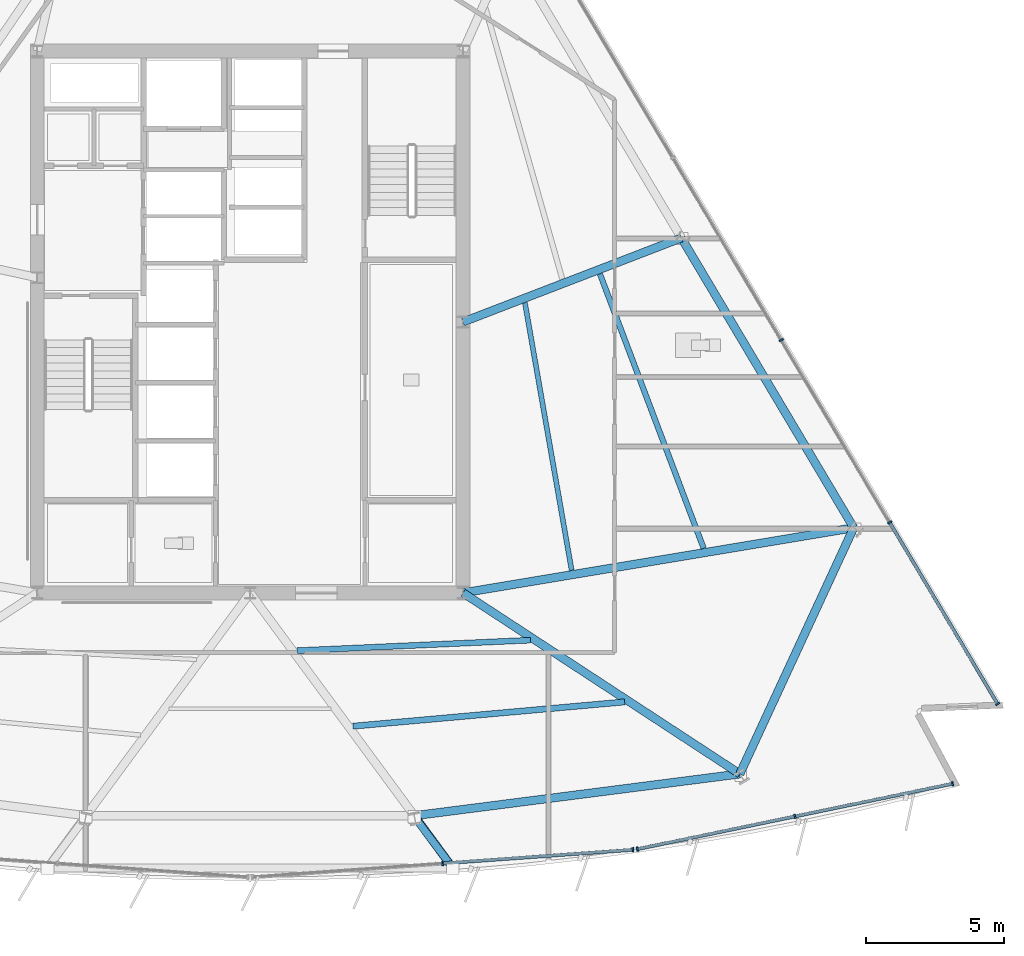
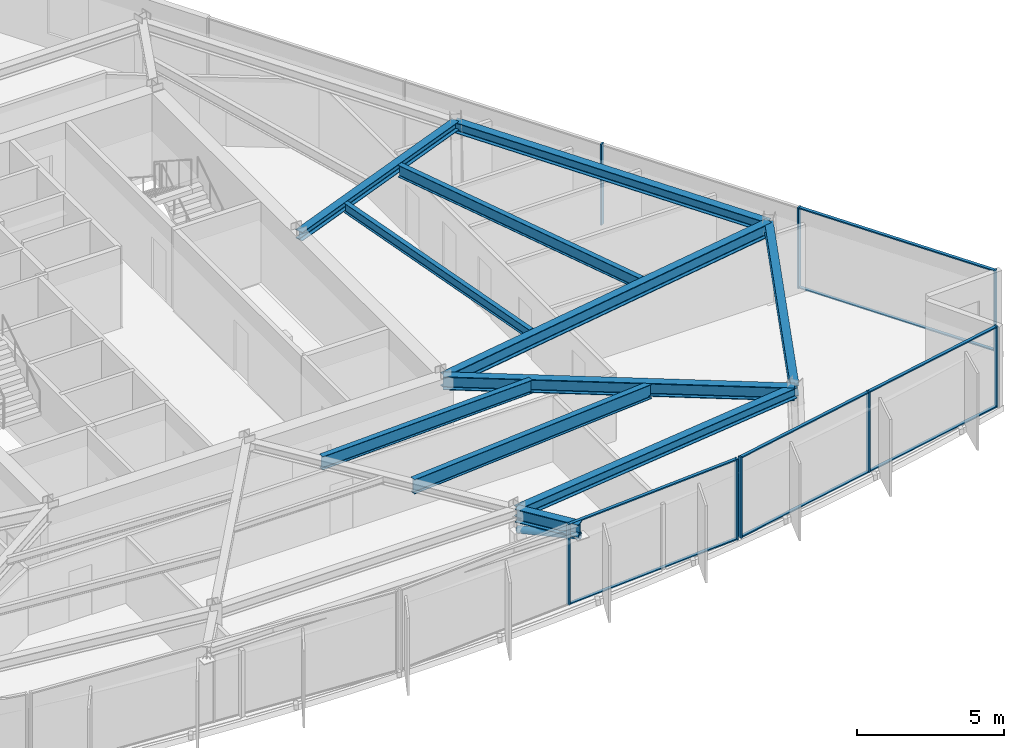
# One storey, part 5 of 16: 17 members, 11 beams, 3 elements without a shape of their own.
"""IFC4 building model written with IfcOpenShell, lengths in metres."""

from ifc_helpers import new_model, si_unit, direction, frame, origin, origin_2d, place, context, subcontext, project, spatial, rectangle, hollow_circle, i_section, extrude, material, material_profile, profile_set, type_object, element, aggregate, save


model = new_model("IFC4")

# Units and contexts
model_context = context("Model", 3, precision=1e-05, world=origin(), true_north=direction((0.0, 1.0)))
body_context = subcontext(model_context, "Body", "Model", "MODEL_VIEW")
ifc_project = project(units=[si_unit("LENGTHUNIT", "METRE"), si_unit("AREAUNIT", "SQUARE_METRE"), si_unit("VOLUMEUNIT", "CUBIC_METRE"), si_unit("PLANEANGLEUNIT", "RADIAN"), si_unit("MASSUNIT", "GRAM", prefix="KILO")], contexts=[model_context])

# Site, building, storey
site_placement = place(None, origin())
site = spatial("IfcSite", under=ifc_project, at=site_placement, CompositionType="ELEMENT")
building_placement = place(site_placement, origin())
building = spatial("IfcBuilding", under=site, at=building_placement, Name="Savorim Split Tower", CompositionType="ELEMENT")
storey_placement = place(building_placement, frame((0.0, 0.0, 156.60009765625)))
storey = spatial("IfcBuildingStorey", under=building, at=storey_placement, Name="L41", CompositionType="ELEMENT", Elevation=156.60009765625)

# Beams
ifc_material_1 = material(Name="Steel S355", Category="steel")
ifc_material_profile_1 = material_profile(ifc_material_1, i_section(OverallWidth=0.179931640625, OverallDepth=0.39990234375, WebThickness=0.008544921875, FlangeThickness=0.013427734375, FilletRadius=0.02099609375, at=origin_2d()), Name="IPE 400")
ifc_profile_set_1 = profile_set([ifc_material_profile_1], Name="Steel S355")
beam_type_1 = type_object("IfcBeamType", Name="BM-JST-IPE400", PredefinedType="JOIST", material=ifc_profile_set_1)
beam_1_placement = place(storey_placement, frame((11.62890625, -8.58251953125, 3.14990234375), z_axis=(-0.172076447151, 0.985083598653, 0.0), x_axis=(-0.985083598653, -0.172076447151, 0.0)))
element("IfcBeam", 1, at=beam_1_placement, inside=storey, type_object=beam_type_1, Name="L41 Secondary Floor Joist JS-08", PredefinedType="JOIST", context=body_context, shape_type="SweptSolid", body=[
    extrude(i_section(OverallWidth=0.179931640625, OverallDepth=0.39990234375, WebThickness=0.008544921875, FlangeThickness=0.013427734375, FilletRadius=0.02099609375, at=origin_2d()), origin(), (0.0, 0.0, 1.0), 9.822265625),
])
ifc_material_profile_2 = material_profile(ifc_material_1, i_section(OverallWidth=0.199951171875, OverallDepth=0.5, WebThickness=0.01025390625, FlangeThickness=0.01611328125, FilletRadius=0.02099609375, at=origin_2d()), Name="IPE 500")
ifc_profile_set_2 = profile_set([ifc_material_profile_2], Name="Steel S355")
beam_type_2 = type_object("IfcBeamType", Name="BM-JST-IPE500", PredefinedType="JOIST", material=ifc_profile_set_2)
beam_2_placement = place(storey_placement, frame((16.40380859375, -7.788818359375, 3.099853515625), z_axis=(-0.353598818967, 0.935397175121, 0.0), x_axis=(-0.935397175121, -0.353598818967, 0.0)))
element("IfcBeam", 2, at=beam_2_placement, inside=storey, type_object=beam_type_2, Name="L41 Secondary Floor Joist JS-06", PredefinedType="JOIST", context=body_context, shape_type="SweptSolid", body=[
    extrude(i_section(OverallWidth=0.199951171875, OverallDepth=0.5, WebThickness=0.01025390625, FlangeThickness=0.01611328125, FilletRadius=0.02099609375, at=origin_2d()), origin(), (0.0, 0.0, 1.0), 10.608642578125),
])
ifc_material_profile_3 = material_profile(ifc_material_1, i_section(OverallWidth=0.2099609375, OverallDepth=0.550048828125, WebThickness=0.010986328125, FlangeThickness=0.01708984375, FilletRadius=0.02392578125, at=origin_2d()), Name="IPE 550")
ifc_profile_set_3 = profile_set([ifc_material_profile_3], Name="Steel S355")
beam_type_3 = type_object("IfcBeamType", Name="BM-JST-IPE550", PredefinedType="JOIST", material=ifc_profile_set_3)
beam_3_placement = place(storey_placement, frame((1.703125, -11.488037109375, 3.074951171875), z_axis=(0.998995060776, 0.044820403219, 0.0), x_axis=(-0.044820403219, 0.998995060776, 0.0)))
element("IfcBeam", 3, at=beam_3_placement, inside=storey, type_object=beam_type_3, Name="L41 Secondary Floor Joist JS-05", PredefinedType="JOIST", context=body_context, shape_type="SweptSolid", body=[
    extrude(i_section(OverallWidth=0.2099609375, OverallDepth=0.550048828125, WebThickness=0.010986328125, FlangeThickness=0.01708984375, FilletRadius=0.02392578125, at=origin_2d()), origin(), (0.0, 0.0, 1.0), 8.448486328125),
])
ifc_material_profile_4 = material_profile(ifc_material_1, i_section(OverallWidth=0.219970703125, OverallDepth=0.60009765625, WebThickness=0.011962890625, FlangeThickness=0.01904296875, FilletRadius=0.02392578125, at=origin_2d()), Name="IPE 600")
ifc_profile_set_4 = profile_set([ifc_material_profile_4], Name="Steel S355")
beam_type_4 = type_object("IfcBeamType", Name="BM-JST-IPE600", PredefinedType="JOIST", material=ifc_profile_set_4)
beam_4_placement = place(storey_placement, frame((3.720947265625, -14.220703125, 3.0498046875), z_axis=(0.996027991499, 0.089040665708, 0.0), x_axis=(-0.089040665708, 0.996027991499, 0.0)))
element("IfcBeam", 4, at=beam_4_placement, inside=storey, type_object=beam_type_4, Name="L41 Secondary Floor Joist JS-04", PredefinedType="JOIST", context=body_context, shape_type="SweptSolid", body=[
    extrude(i_section(OverallWidth=0.219970703125, OverallDepth=0.60009765625, WebThickness=0.011962890625, FlangeThickness=0.01904296875, FilletRadius=0.02392578125, at=origin_2d()), origin(), (0.0, 0.0, 1.0), 9.865478515625),
])
ifc_material_profile_5 = material_profile(ifc_material_1, i_section(OverallWidth=0.300048828125, OverallDepth=0.360107421875, WebThickness=0.012451171875, FlangeThickness=0.0224609375, FilletRadius=0.027099609375, at=origin_2d()), Name="HEB 360")
ifc_profile_set_5 = profile_set([ifc_material_profile_5], Name="Steel S355")
beam_type_5 = type_object("IfcBeamType", Name="BM-PRI-HEB360", PredefinedType="BEAM", material=ifc_profile_set_5)
beam_5_placement = place(storey_placement, frame((15.596923828125, 3.43896484375, 3.169921875), z_axis=(-0.933275687169, -0.359160815986, 0.0), x_axis=(0.359160815986, -0.933275687169, 0.0)))
element("IfcBeam", 5, at=beam_5_placement, inside=storey, type_object=beam_type_5, Name="L41 Primary Floor Girder RG-06", PredefinedType="BEAM", context=body_context, shape_type="SweptSolid", body=[
    extrude(i_section(OverallWidth=0.300048828125, OverallDepth=0.360107421875, WebThickness=0.012451171875, FlangeThickness=0.0224609375, FilletRadius=0.027099609375, at=origin_2d()), origin(), (0.0, 0.0, 1.0), 8.461669921875),
])
ifc_material_profile_6 = material_profile(ifc_material_1, i_section(OverallWidth=0.300048828125, OverallDepth=0.550048828125, WebThickness=0.014892578125, FlangeThickness=0.029052734375, FilletRadius=0.027099609375, at=origin_2d()), Name="HEB 550")
ifc_profile_set_6 = profile_set([ifc_material_profile_6], Name="Steel S355")
beam_type_6 = type_object("IfcBeamType", Name="BM-PRI-HEB550", PredefinedType="BEAM", material=ifc_profile_set_6)
beam_6_placement = place(storey_placement, frame((17.710693359375, -15.94677734375, 3.074951171875), z_axis=(-0.836916394391, 0.547330749, 0.0), x_axis=(-0.547330749, -0.836916394391, 0.0)))
element("IfcBeam", 6, at=beam_6_placement, inside=storey, type_object=beam_type_6, Name="L41 Primary Floor Girder RG-04", PredefinedType="BEAM", context=body_context, shape_type="SweptSolid", body=[
    extrude(i_section(OverallWidth=0.300048828125, OverallDepth=0.550048828125, WebThickness=0.014892578125, FlangeThickness=0.029052734375, FilletRadius=0.027099609375, at=origin_2d()), origin(), (0.0, 0.0, 1.0), 11.96142578125),
])
beam_7_placement = place(storey_placement, frame((21.82958984375, -7.042724609375, 3.074951171875), z_axis=(-0.986368577803, -0.164550991252, 0.0), x_axis=(0.164550991252, -0.986368577803, 0.0)))
element("IfcBeam", 7, at=beam_7_placement, inside=storey, type_object=beam_type_6, Name="L41 Primary Floor Girder RG-05", PredefinedType="BEAM", context=body_context, shape_type="SweptSolid", body=[
    extrude(i_section(OverallWidth=0.300048828125, OverallDepth=0.550048828125, WebThickness=0.014892578125, FlangeThickness=0.029052734375, FilletRadius=0.027099609375, at=origin_2d()), origin(), (0.0, 0.0, 1.0), 14.324951171875),
])
beam_8_placement = place(storey_placement, frame((5.935791015625, -17.45849609375, 3.074951171875), z_axis=(0.593096264354, -0.805131555219, 0.0), x_axis=(0.805131555219, 0.593096264354, 0.0)))
element("IfcBeam", 8, at=beam_8_placement, inside=storey, type_object=beam_type_6, Name="L41 Cantilevered Lounge Rib 2", PredefinedType="BEAM", context=body_context, shape_type="SweptSolid", body=[
    extrude(i_section(OverallWidth=0.300048828125, OverallDepth=0.550048828125, WebThickness=0.014892578125, FlangeThickness=0.029052734375, FilletRadius=0.027099609375, at=origin_2d()), origin(), (0.0, 0.0, 1.0), 2.35009765625),
])
ifc_material_profile_7 = material_profile(ifc_material_1, i_section(OverallWidth=0.300048828125, OverallDepth=0.43994140625, WebThickness=0.011474609375, FlangeThickness=0.02099609375, FilletRadius=0.027099609375, at=origin_2d()), Name="HEA 450")
ifc_profile_set_7 = profile_set([ifc_material_profile_7], Name="Steel S355")
beam_type_7 = type_object("IfcBeamType", Name="BM-SPN-HEA450", PredefinedType="SPANDREL", material=ifc_profile_set_7)
beam_9_placement = place(storey_placement, frame((5.935791015625, -17.45849609375, 3.1298828125), z_axis=(0.991859168479, 0.127339663513, 0.0), x_axis=(-0.127339663513, 0.991859168479, 0.0)))
element("IfcBeam", 9, at=beam_9_placement, inside=storey, type_object=beam_type_7, Name="L41 Perimeter Spandrel Beam 3", PredefinedType="SPANDREL", context=body_context, shape_type="SweptSolid", body=[
    extrude(i_section(OverallWidth=0.300048828125, OverallDepth=0.43994140625, WebThickness=0.011474609375, FlangeThickness=0.02099609375, FilletRadius=0.027099609375, at=origin_2d()), origin(), (0.0, 0.0, 1.0), 11.87158203125),
])
beam_10_placement = place(storey_placement, frame((17.710693359375, -15.94677734375, 3.1298828125), z_axis=(0.419842337495, 0.907597053569, 0.0), x_axis=(-0.907597053569, 0.419842337495, 0.0)))
element("IfcBeam", 10, at=beam_10_placement, inside=storey, type_object=beam_type_7, Name="L41 Perimeter Spandrel Beam 4", PredefinedType="SPANDREL", context=body_context, shape_type="SweptSolid", body=[
    extrude(i_section(OverallWidth=0.300048828125, OverallDepth=0.43994140625, WebThickness=0.011474609375, FlangeThickness=0.02099609375, FilletRadius=0.027099609375, at=origin_2d()), origin(), (0.0, 0.0, 1.0), 9.810546875),
])
beam_11_placement = place(storey_placement, frame((21.82958984375, -7.042724609375, 3.1298828125), z_axis=(-0.51109418122, 0.859524716296, 0.0), x_axis=(-0.859524716296, -0.51109418122, 0.0)))
element("IfcBeam", 11, at=beam_11_placement, inside=storey, type_object=beam_type_7, Name="L41 Perimeter Spandrel Beam 5", PredefinedType="SPANDREL", context=body_context, shape_type="SweptSolid", body=[
    extrude(i_section(OverallWidth=0.300048828125, OverallDepth=0.43994140625, WebThickness=0.011474609375, FlangeThickness=0.02099609375, FilletRadius=0.027099609375, at=origin_2d()), origin(), (0.0, 0.0, 1.0), 12.19482421875),
])

# Curtain wall, members
ifc_material_2 = material(Name="Dark Ceramic-Fritted Insulated Glass", Category="glass")
curtain_wall_type = type_object("IfcCurtainWallType", Name="CW-TWR-FRIT-B", PredefinedType="NOTDEFINED", material=ifc_material_2)
curtain_wall_1_placement = place(storey_placement, origin())
curtain_wall_1 = element("IfcCurtainWall", 12, at=curtain_wall_1_placement, inside=storey, type_object=curtain_wall_type, Name="L41 Curtain Wall CW-L41-SF3", PredefinedType="NOTDEFINED")
ifc_material_3 = material(Name="Charcoal Anodised Aluminium", Category="aluminium")
ifc_material_profile_8 = material_profile(ifc_material_3, rectangle(XDim=0.159912109375, YDim=0.06005859375, at=origin_2d()), Name="ALU-M 160x60")
ifc_profile_set_8 = profile_set([ifc_material_profile_8], Name="Charcoal Anodised Aluminium")
member_type_1 = type_object("IfcMemberType", Name="CWM-160x60", PredefinedType="MULLION", material=ifc_profile_set_8)
member_1_placement = place(storey_placement, frame((6.9619140625, -19.181884765625, 0.0), z_axis=(0.0, 0.0, 1.0), x_axis=(-0.071560918492, 0.997436231017, 0.0)))
member_1 = element("IfcMember", 13, at=member_1_placement, type_object=member_type_1, Name="CW-03 mullion 2", PredefinedType="MULLION", context=body_context, shape_type="SweptSolid", body=[
    extrude(rectangle(XDim=0.159912109375, YDim=0.06005859375, at=origin_2d()), origin(), (0.0, 0.0, 1.0), 3.349853515625),
])
member_2_placement = place(storey_placement, frame((13.842529296875, -18.688232421875, 0.0), z_axis=(0.0, 0.0, 1.0), x_axis=(-0.071560918492, 0.997436231017, 0.0)))
member_2 = element("IfcMember", 14, at=member_2_placement, type_object=member_type_1, Name="CW-03 mullion 3", PredefinedType="MULLION", context=body_context, shape_type="SweptSolid", body=[
    extrude(rectangle(XDim=0.159912109375, YDim=0.06005859375, at=origin_2d()), origin(), (0.0, 0.0, 1.0), 3.349853515625),
])

curtain_wall_2_placement = place(storey_placement, origin())
curtain_wall_2 = element("IfcCurtainWall", 15, at=curtain_wall_2_placement, inside=storey, type_object=curtain_wall_type, Name="L41 Curtain Wall CW-L41-SF4", PredefinedType="NOTDEFINED")
member_3_placement = place(storey_placement, frame((14.004638671875, -18.66552734375, 0.0), z_axis=(0.0, 0.0, 1.0), x_axis=(-0.203209964912, 0.979135184824, 0.0)))
member_3 = element("IfcMember", 16, at=member_3_placement, type_object=member_type_1, Name="CW-03 mullion 1", PredefinedType="MULLION", context=body_context, shape_type="SweptSolid", body=[
    extrude(rectangle(XDim=0.159912109375, YDim=0.06005859375, at=origin_2d()), origin(), (0.0, 0.0, 1.0), 3.349853515625),
])
member_4_placement = place(storey_placement, frame((19.70458984375, -17.482666015625, 0.0), z_axis=(0.0, 0.0, 1.0), x_axis=(-0.203209964912, 0.979135184824, 0.0)))
member_4 = element("IfcMember", 17, at=member_4_placement, type_object=member_type_1, Name="CW-03 mullion 2", PredefinedType="MULLION", context=body_context, shape_type="SweptSolid", body=[
    extrude(rectangle(XDim=0.159912109375, YDim=0.06005859375, at=origin_2d()), origin(), (0.0, 0.0, 1.0), 3.349853515625),
])
member_5_placement = place(storey_placement, frame((25.404541015625, -16.2998046875, 0.0), z_axis=(0.0, 0.0, 1.0), x_axis=(-0.203209964912, 0.979135184824, 0.0)))
member_5 = element("IfcMember", 18, at=member_5_placement, type_object=member_type_1, Name="CW-03 mullion 3", PredefinedType="MULLION", context=body_context, shape_type="SweptSolid", body=[
    extrude(rectangle(XDim=0.159912109375, YDim=0.06005859375, at=origin_2d()), origin(), (0.0, 0.0, 1.0), 3.349853515625),
])

curtain_wall_3_placement = place(storey_placement, origin())
curtain_wall_3 = element("IfcCurtainWall", 19, at=curtain_wall_3_placement, inside=storey, type_object=curtain_wall_type, Name="L41 Curtain Wall CW-L41-EAST", PredefinedType="NOTDEFINED")
member_6_placement = place(storey_placement, frame((27.03369140625, -13.41552734375, 0.0), z_axis=(0.0, 0.0, 1.0), x_axis=(-0.859526328423, -0.511091470039, 0.0)))
member_6 = element("IfcMember", 20, at=member_6_placement, type_object=member_type_1, Name="CW-03 mullion 1", PredefinedType="MULLION", context=body_context, shape_type="SweptSolid", body=[
    extrude(rectangle(XDim=0.159912109375, YDim=0.06005859375, at=origin_2d()), origin(), (0.0, 0.0, 1.0), 3.349853515625),
])
member_7_placement = place(storey_placement, frame((23.12939453125, -6.849609375, 0.0), z_axis=(0.0, 0.0, 1.0), x_axis=(-0.859526328423, -0.511091470039, 0.0)))
member_7 = element("IfcMember", 21, at=member_7_placement, type_object=member_type_1, Name="CW-03 mullion 2", PredefinedType="MULLION", context=body_context, shape_type="SweptSolid", body=[
    extrude(rectangle(XDim=0.159912109375, YDim=0.06005859375, at=origin_2d()), origin(), (0.0, 0.0, 1.0), 3.349853515625),
])
member_8_placement = place(storey_placement, frame((19.209716796875, -0.257568359375, 0.0), z_axis=(0.0, 0.0, 1.0), x_axis=(-0.859526328423, -0.511091470039, 0.0)))
member_8 = element("IfcMember", 22, at=member_8_placement, type_object=member_type_1, Name="CW-03 mullion 3", PredefinedType="MULLION", context=body_context, shape_type="SweptSolid", body=[
    extrude(rectangle(XDim=0.159912109375, YDim=0.06005859375, at=origin_2d()), origin(), (0.0, 0.0, 1.0), 3.349853515625),
])

# Member
ifc_material_profile_9 = material_profile(ifc_material_3, rectangle(XDim=0.1201171875, YDim=0.050048828125, at=origin_2d()), Name="ALU-T 120x50")
ifc_profile_set_9 = profile_set([ifc_material_profile_9], Name="Charcoal Anodised Aluminium")
member_type_2 = type_object("IfcMemberType", Name="CWT-120x50", PredefinedType="USERDEFINED", material=ifc_profile_set_9)
member_9_placement = place(storey_placement, frame((6.991943359375, -19.1796875, 0.02490234375), z_axis=(0.99743472164, 0.0715819535, 0.0), x_axis=(-0.0715819535, 0.99743472164, 0.0)))
member_9 = element("IfcMember", 23, at=member_9_placement, type_object=member_type_2, Name="CW-03 transom 2.1", ObjectType="TRANSOM", PredefinedType="USERDEFINED", context=body_context, shape_type="SweptSolid", body=[
    extrude(rectangle(XDim=0.1201171875, YDim=0.050048828125, at=origin_2d()), origin(), (0.0, 0.0, 1.0), 6.83837890625),
])

member_10_placement = place(storey_placement, frame((6.991943359375, -19.1796875, 3.324951171875), z_axis=(0.99743472164, 0.0715819535, 0.0), x_axis=(-0.0715819535, 0.99743472164, 0.0)))
member_10 = element("IfcMember", 24, at=member_10_placement, type_object=member_type_2, Name="CW-03 transom 2.2", ObjectType="TRANSOM", PredefinedType="USERDEFINED", context=body_context, shape_type="SweptSolid", body=[
    extrude(rectangle(XDim=0.1201171875, YDim=0.050048828125, at=origin_2d()), origin(), (0.0, 0.0, 1.0), 6.83837890625),
])

aggregate(curtain_wall_1, [member_1, member_2, member_9, member_10])

member_11_placement = place(storey_placement, frame((14.033935546875, -18.659423828125, 0.02490234375), z_axis=(0.979140518466, 0.203184263905, 0.0), x_axis=(-0.203184263905, 0.979140518466, 0.0)))
member_11 = element("IfcMember", 25, at=member_11_placement, type_object=member_type_2, Name="CW-03 transom 1.1", ObjectType="TRANSOM", PredefinedType="USERDEFINED", context=body_context, shape_type="SweptSolid", body=[
    extrude(rectangle(XDim=0.1201171875, YDim=0.050048828125, at=origin_2d()), origin(), (0.0, 0.0, 1.0), 5.761474609375),
])

member_12_placement = place(storey_placement, frame((14.033935546875, -18.659423828125, 3.324951171875), z_axis=(0.979140518466, 0.203184263905, 0.0), x_axis=(-0.203184263905, 0.979140518466, 0.0)))
member_12 = element("IfcMember", 26, at=member_12_placement, type_object=member_type_2, Name="CW-03 transom 1.2", ObjectType="TRANSOM", PredefinedType="USERDEFINED", context=body_context, shape_type="SweptSolid", body=[
    extrude(rectangle(XDim=0.1201171875, YDim=0.050048828125, at=origin_2d()), origin(), (0.0, 0.0, 1.0), 5.761474609375),
])

member_13_placement = place(storey_placement, frame((19.73388671875, -17.4765625, 0.02490234375), z_axis=(0.979138768987, 0.203192694421, 0.0), x_axis=(-0.203192694421, 0.979138768987, 0.0)))
member_13 = element("IfcMember", 27, at=member_13_placement, type_object=member_type_2, Name="CW-03 transom 2.1", ObjectType="TRANSOM", PredefinedType="USERDEFINED", context=body_context, shape_type="SweptSolid", body=[
    extrude(rectangle(XDim=0.1201171875, YDim=0.050048828125, at=origin_2d()), origin(), (0.0, 0.0, 1.0), 5.76123046875),
])

member_14_placement = place(storey_placement, frame((19.73388671875, -17.4765625, 3.324951171875), z_axis=(0.979138768987, 0.203192694421, 0.0), x_axis=(-0.203192694421, 0.979138768987, 0.0)))
member_14 = element("IfcMember", 28, at=member_14_placement, type_object=member_type_2, Name="CW-03 transom 2.2", ObjectType="TRANSOM", PredefinedType="USERDEFINED", context=body_context, shape_type="SweptSolid", body=[
    extrude(rectangle(XDim=0.1201171875, YDim=0.050048828125, at=origin_2d()), origin(), (0.0, 0.0, 1.0), 5.76123046875),
])

aggregate(curtain_wall_2, [member_3, member_4, member_5, member_11, member_12, member_13, member_14])

member_15_placement = place(storey_placement, frame((27.0185546875, -13.389892578125, 0.02490234375), z_axis=(-0.511095331359, 0.859524032394, 0.0), x_axis=(-0.859524032394, -0.511095331359, 0.0)))
member_15 = element("IfcMember", 29, at=member_15_placement, type_object=member_type_2, Name="CW-03 transom 1.1", ObjectType="TRANSOM", PredefinedType="USERDEFINED", context=body_context, shape_type="SweptSolid", body=[
    extrude(rectangle(XDim=0.1201171875, YDim=0.050048828125, at=origin_2d()), origin(), (0.0, 0.0, 1.0), 7.579345703125),
])

member_16_placement = place(storey_placement, frame((27.0185546875, -13.389892578125, 3.324951171875), z_axis=(-0.511095331359, 0.859524032394, 0.0), x_axis=(-0.859524032394, -0.511095331359, 0.0)))
member_16 = element("IfcMember", 30, at=member_16_placement, type_object=member_type_2, Name="CW-03 transom 1.2", ObjectType="TRANSOM", PredefinedType="USERDEFINED", context=body_context, shape_type="SweptSolid", body=[
    extrude(rectangle(XDim=0.1201171875, YDim=0.050048828125, at=origin_2d()), origin(), (0.0, 0.0, 1.0), 7.579345703125),
])

aggregate(curtain_wall_3, [member_6, member_7, member_8, member_15, member_16])

ifc_material_profile_10 = material_profile(ifc_material_1, hollow_circle(Radius=0.136474609375, WallThickness=0.01611328125, at=origin_2d()), Name="CHS 273x16")
ifc_profile_set_10 = profile_set([ifc_material_profile_10], Name="Steel S355")
member_type_3 = type_object("IfcMemberType", Name="MBR-CRN-CHS273", PredefinedType="BRACE", material=ifc_profile_set_10)
member_17_placement = place(storey_placement, frame((5.943603515625, -17.498779296875, 2.449951171875), z_axis=(0.591688822943, -0.790551298577, 0.157901808483), x_axis=(0.800594906871, 0.599205970508, 0.0)))
element("IfcMember", 31, at=member_17_placement, inside=storey, type_object=member_type_3, Name="L41 Cantilevered Bay Support Strut 2", PredefinedType="BRACE", context=body_context, shape_type="SweptSolid", body=[
    extrude(hollow_circle(Radius=0.136474609375, WallThickness=0.01611328125, at=origin_2d()), origin(), (0.0, 0.0, 1.0), 2.342529296875),
])

save(model, "model.ifc")
